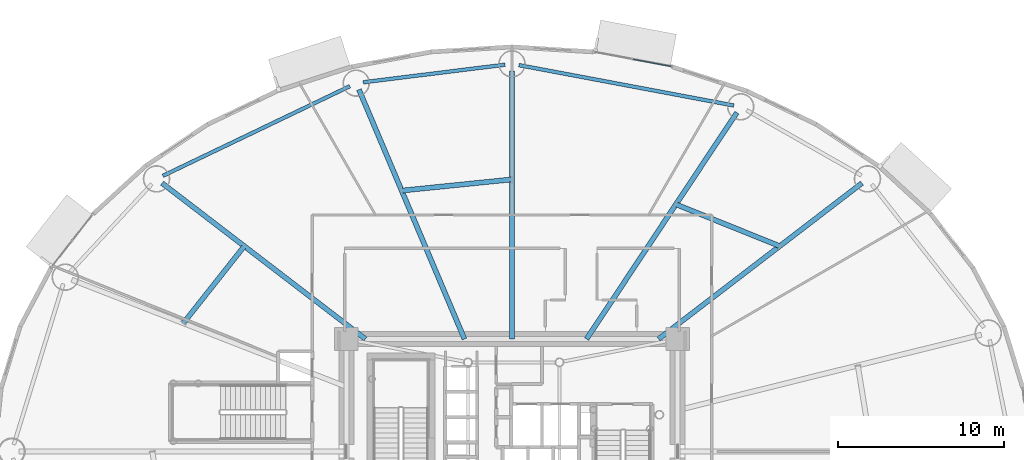
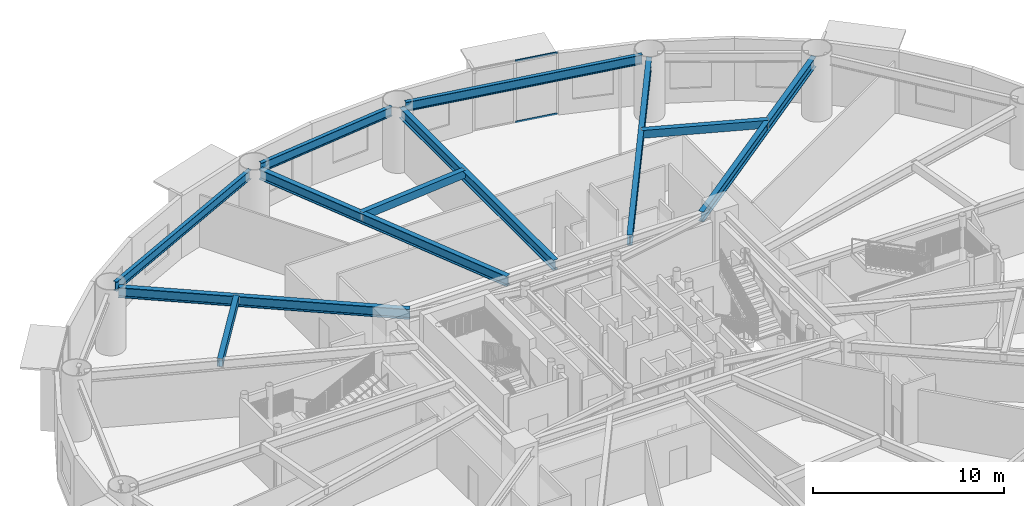
# One storey, part 11 of 35: 11 beams, 2 members, 1 element without a shape of its own.
"""IFC4 building model written with IfcOpenShell, lengths in metres."""

from ifc_helpers import new_model, si_unit, direction, frame, origin, origin_2d, place, context, subcontext, project, spatial, hollow_rectangle, i_section, extrude, source, transform, mapped, material, layer, layer_set, material_profile, profile_set, type_object, element, aggregate, save


model = new_model("IFC4")

# Units and contexts
model_context = context("Model", 3, precision=1e-05, world=origin(), true_north=direction((0.0, 1.0)))
body_context = subcontext(model_context, "Body", "Model", "MODEL_VIEW")
ifc_project = project(units=[si_unit("LENGTHUNIT", "METRE"), si_unit("AREAUNIT", "SQUARE_METRE"), si_unit("VOLUMEUNIT", "CUBIC_METRE"), si_unit("PLANEANGLEUNIT", "RADIAN"), si_unit("MASSUNIT", "GRAM", prefix="KILO")], contexts=[model_context])

# Site, building, storey
site_placement = place(None, origin())
site = spatial("IfcSite", under=ifc_project, at=site_placement, CompositionType="ELEMENT")
building_placement = place(site_placement, origin())
building = spatial("IfcBuilding", under=site, at=building_placement, Name="Linh Dai School and Residence Tower", CompositionType="ELEMENT")
storey_placement = place(building_placement, frame((0.0, 0.0, 49.199951171875)))
storey = spatial("IfcBuildingStorey", under=building, at=storey_placement, Name="L11", CompositionType="ELEMENT", Elevation=49.199951171875)

# Beams
ifc_material_1 = material(Name="Structural Steel S355JR", Category="steel")
ifc_material_profile_1 = material_profile(ifc_material_1, hollow_rectangle(XDim=0.300048828125, YDim=0.5, WallThickness=0.01611328125, at=origin_2d()), Name="RHS 500x300x16")
ifc_profile_set_1 = profile_set([ifc_material_profile_1], Name="Structural Steel S355JR")
beam_type_1 = type_object("IfcBeamType", Name="BM-BX5", PredefinedType="BEAM", material=ifc_profile_set_1)
beam_1_placement = place(storey_placement, frame((52.078125, 39.3310546875, 3.699951171875), z_axis=(-0.927542803202, 0.373716935968, 0.0), x_axis=(-0.373716935968, -0.927542803202, 0.0)))
element("IfcBeam", 1, at=beam_1_placement, inside=storey, type_object=beam_type_1, Name="L11 Secondary Circumferential Floor Beam 02", PredefinedType="BEAM", context=body_context, shape_type="SweptSolid", body=[
    extrude(hollow_rectangle(XDim=0.300048828125, YDim=0.5, WallThickness=0.01611328125, at=origin_2d()), origin(), (0.0, 0.0, 1.0), 6.709716796875),
])
beam_2_placement = place(storey_placement, frame((35.9951171875, 43.3369140625, 3.699951171875), z_axis=(-0.99488448114, -0.10101915257, 0.0), x_axis=(0.10101915257, -0.99488448114, 0.0)))
element("IfcBeam", 2, at=beam_2_placement, inside=storey, type_object=beam_type_1, Name="L11 Secondary Circumferential Floor Beam 03", PredefinedType="BEAM", context=body_context, shape_type="SweptSolid", body=[
    extrude(hollow_rectangle(XDim=0.300048828125, YDim=0.5, WallThickness=0.01611328125, at=origin_2d()), origin(), (0.0, 0.0, 1.0), 6.65087890625),
])
beam_3_placement = place(storey_placement, frame((19.914306640625, 39.3251953125, 3.699951171875), z_axis=(-0.620188156993, -0.784453089691, 0.0), x_axis=(0.784453089691, -0.620188156993, 0.0)))
element("IfcBeam", 3, at=beam_3_placement, inside=storey, type_object=beam_type_1, Name="L11 Secondary Circumferential Floor Beam 04", PredefinedType="BEAM", context=body_context, shape_type="SweptSolid", body=[
    extrude(hollow_rectangle(XDim=0.300048828125, YDim=0.5, WallThickness=0.01611328125, at=origin_2d()), origin(), (0.0, 0.0, 1.0), 5.89306640625),
])
ifc_material_profile_2 = material_profile(ifc_material_1, i_section(OverallWidth=0.219970703125, OverallDepth=0.60009765625, WebThickness=0.011962890625, FlangeThickness=0.01904296875, FilletRadius=0.02392578125, at=origin_2d()), Name="IPE 600")
ifc_profile_set_2 = profile_set([ifc_material_profile_2], Name="Structural Steel S355JR")
beam_type_2 = type_object("IfcBeamType", Name="BM-RB60", PredefinedType="BEAM", material=ifc_profile_set_2)
beam_4_placement = place(storey_placement, frame((49.32568359375, 47.776611328125, 3.650146484375), z_axis=(-0.982808389171, 0.184628465236, 0.0), x_axis=(-0.184628465236, -0.982808389171, 0.0)))
element("IfcBeam", 4, at=beam_4_placement, inside=storey, type_object=beam_type_2, Name="L11 Perimeter Elliptical Ring Beam 04", PredefinedType="BEAM", context=body_context, shape_type="SweptSolid", body=[
    extrude(i_section(OverallWidth=0.219970703125, OverallDepth=0.60009765625, WebThickness=0.011962890625, FlangeThickness=0.01904296875, FilletRadius=0.02392578125, at=origin_2d()), origin(), (0.0, 0.0, 1.0), 13.138671875),
])
beam_5_placement = place(storey_placement, frame((35.583251953125, 50.228271484375, 3.650146484375), z_axis=(-0.99240113372, -0.123044665842, 0.0), x_axis=(0.123044665842, -0.99240113372, 0.0)))
element("IfcBeam", 5, at=beam_5_placement, inside=storey, type_object=beam_type_2, Name="L11 Perimeter Elliptical Ring Beam 05", PredefinedType="BEAM", context=body_context, shape_type="SweptSolid", body=[
    extrude(i_section(OverallWidth=0.219970703125, OverallDepth=0.60009765625, WebThickness=0.011962890625, FlangeThickness=0.01904296875, FilletRadius=0.02392578125, at=origin_2d()), origin(), (0.0, 0.0, 1.0), 8.58935546875),
])
beam_6_placement = place(storey_placement, frame((26.263427734375, 48.938232421875, 3.650146484375), z_axis=(-0.901728693485, -0.432302398034, 0.0), x_axis=(0.432302398034, -0.901728693485, 0.0)))
element("IfcBeam", 6, at=beam_6_placement, inside=storey, type_object=beam_type_2, Name="L11 Perimeter Elliptical Ring Beam 06", PredefinedType="BEAM", context=body_context, shape_type="SweptSolid", body=[
    extrude(i_section(OverallWidth=0.219970703125, OverallDepth=0.60009765625, WebThickness=0.011962890625, FlangeThickness=0.01904296875, FilletRadius=0.02392578125, at=origin_2d()), origin(), (0.0, 0.0, 1.0), 12.462158203125),
])
ifc_material_profile_3 = material_profile(ifc_material_1, i_section(OverallWidth=0.300048828125, OverallDepth=0.64990234375, WebThickness=0.01611328125, FlangeThickness=0.031005859375, FilletRadius=0.027099609375, at=origin_2d()), Name="HEB 650")
ifc_profile_set_3 = profile_set([ifc_material_profile_3], Name="Structural Steel S355JR")
beam_type_3 = type_object("IfcBeamType", Name="BM-RG65", PredefinedType="BEAM", material=ifc_profile_set_3)
beam_7_placement = place(storey_placement, frame((44.804931640625, 33.75, 3.625), z_axis=(0.793637764155, 0.608390581212, 0.0), x_axis=(-0.608390581212, 0.793637764155, 0.0)))
element("IfcBeam", 7, at=beam_7_placement, inside=storey, type_object=beam_type_3, Name="L11 Primary Radial Floor Girder 03", PredefinedType="BEAM", context=body_context, shape_type="SweptSolid", body=[
    extrude(i_section(OverallWidth=0.300048828125, OverallDepth=0.64990234375, WebThickness=0.01611328125, FlangeThickness=0.031005859375, FilletRadius=0.027099609375, at=origin_2d()), origin(), (0.0, 0.0, 1.0), 15.390625),
])
beam_8_placement = place(storey_placement, frame((40.47998046875, 33.75, 3.625), z_axis=(0.55300421354, 0.833178456158, 0.0), x_axis=(-0.833178456158, 0.55300421354, 0.0)))
element("IfcBeam", 8, at=beam_8_placement, inside=storey, type_object=beam_type_3, Name="L11 Primary Radial Floor Girder 04", PredefinedType="BEAM", context=body_context, shape_type="SweptSolid", body=[
    extrude(i_section(OverallWidth=0.300048828125, OverallDepth=0.64990234375, WebThickness=0.01611328125, FlangeThickness=0.031005859375, FilletRadius=0.027099609375, at=origin_2d()), origin(), (0.0, 0.0, 1.0), 16.322021484375),
])
beam_9_placement = place(storey_placement, frame((36.0, 33.75, 3.625), z_axis=(0.0, 1.0, 0.0), x_axis=(-1.0, 0.0, 0.0)))
element("IfcBeam", 9, at=beam_9_placement, inside=storey, type_object=beam_type_3, Name="L11 Primary Radial Floor Girder 05", PredefinedType="BEAM", context=body_context, shape_type="SweptSolid", body=[
    extrude(i_section(OverallWidth=0.300048828125, OverallDepth=0.64990234375, WebThickness=0.01611328125, FlangeThickness=0.031005859375, FilletRadius=0.027099609375, at=origin_2d()), origin(), (0.0, 0.0, 1.0), 16.110107421875),
])
beam_10_placement = place(storey_placement, frame((33.14453125, 33.75, 3.625), z_axis=(-0.38962432485, 0.920973878829, 0.0), x_axis=(-0.920973878829, -0.38962432485, 0.0)))
element("IfcBeam", 10, at=beam_10_placement, inside=storey, type_object=beam_type_3, Name="L11 Primary Radial Floor Girder 06", PredefinedType="BEAM", context=body_context, shape_type="SweptSolid", body=[
    extrude(i_section(OverallWidth=0.300048828125, OverallDepth=0.64990234375, WebThickness=0.01611328125, FlangeThickness=0.031005859375, FilletRadius=0.027099609375, at=origin_2d()), origin(), (0.0, 0.0, 1.0), 16.2685546875),
])
beam_11_placement = place(storey_placement, frame((27.195068359375, 33.75, 3.625), z_axis=(-0.793637764155, 0.608390581212, 0.0), x_axis=(-0.608390581212, -0.793637764155, 0.0)))
element("IfcBeam", 11, at=beam_11_placement, inside=storey, type_object=beam_type_3, Name="L11 Primary Radial Floor Girder 07", PredefinedType="BEAM", context=body_context, shape_type="SweptSolid", body=[
    extrude(i_section(OverallWidth=0.300048828125, OverallDepth=0.64990234375, WebThickness=0.01611328125, FlangeThickness=0.031005859375, FilletRadius=0.027099609375, at=origin_2d()), origin(), (0.0, 0.0, 1.0), 15.390625),
])

# Curtain wall, members
ifc_material_2 = material(Name="Aluminium Anodised Curtain Wall", Category="aluminium")
ifc_layer = layer(ifc_material_2, 0.159912109375)
ifc_layer_set = layer_set([ifc_layer], Name="Aluminium Anodised Curtain Wall")
curtain_wall_type = type_object("IfcCurtainWallType", Name="CW-SYS-3", PredefinedType="USERDEFINED", material=ifc_layer_set)
curtain_wall_placement = place(storey_placement, origin())
curtain_wall = element("IfcCurtainWall", 12, at=curtain_wall_placement, inside=storey, type_object=curtain_wall_type, Name="L11 CW3 Curtain Wall 09", ObjectType="RIBBON CURTAIN WALL", PredefinedType="USERDEFINED")
ifc_material_3 = material(Name="Aluminium Alloy 6063-T6", Category="aluminium")
ifc_material_profile_4 = material_profile(ifc_material_3, hollow_rectangle(XDim=0.054931640625, YDim=0.1201171875, WallThickness=0.00390625, at=origin_2d()), Name="RHS 120x55x4")
ifc_profile_set_4 = profile_set([ifc_material_profile_4], Name="Aluminium Alloy 6063-T6")
member_type = type_object("IfcMemberType", Name="CW-SYS-3-TRN", PredefinedType="USERDEFINED", material=ifc_profile_set_4)
shared_shape = source(origin(), body_context, "Body", "SweptSolid", [
    extrude(hollow_rectangle(XDim=0.054931640625, YDim=0.1201171875, WallThickness=0.00390625, at=origin_2d()), origin(), (0.0, 0.0, 1.0), 2.331787109375),
])
member_1_placement = place(storey_placement, frame((43.264892578125, 50.55419921875, 0.027587890625), z_axis=(0.98277485102, -0.184806905183, 0.0), x_axis=(0.184806905183, 0.98277485102, 0.0)))
member_1 = element("IfcMember", 13, at=member_1_placement, type_object=member_type, Name="CW3 transom 2.1", ObjectType="TRANSOM", PredefinedType="USERDEFINED", context=body_context, shape_type="MappedRepresentation", body=[
    mapped(shared_shape, transform((0.0, 0.0, 0.0), x_axis=(1.0, 0.0, 0.0), y_axis=(0.0, 1.0, 0.0), z_axis=(0.0, 0.0, 1.0), scale=1.0)),
])
member_2_placement = place(storey_placement, frame((43.264892578125, 50.55419921875, 3.922607421875), z_axis=(0.98277485102, -0.184806905183, 0.0), x_axis=(0.184806905183, 0.98277485102, 0.0)))
member_2 = element("IfcMember", 14, at=member_2_placement, type_object=member_type, Name="CW3 transom 2.2", ObjectType="TRANSOM", PredefinedType="USERDEFINED", context=body_context, shape_type="MappedRepresentation", body=[
    mapped(shared_shape, transform((0.0, 0.0, 0.0), x_axis=(1.0, 0.0, 0.0), y_axis=(0.0, 1.0, 0.0), z_axis=(0.0, 0.0, 1.0), scale=1.0)),
])
aggregate(curtain_wall, [member_1, member_2])

save(model, "model.ifc")
